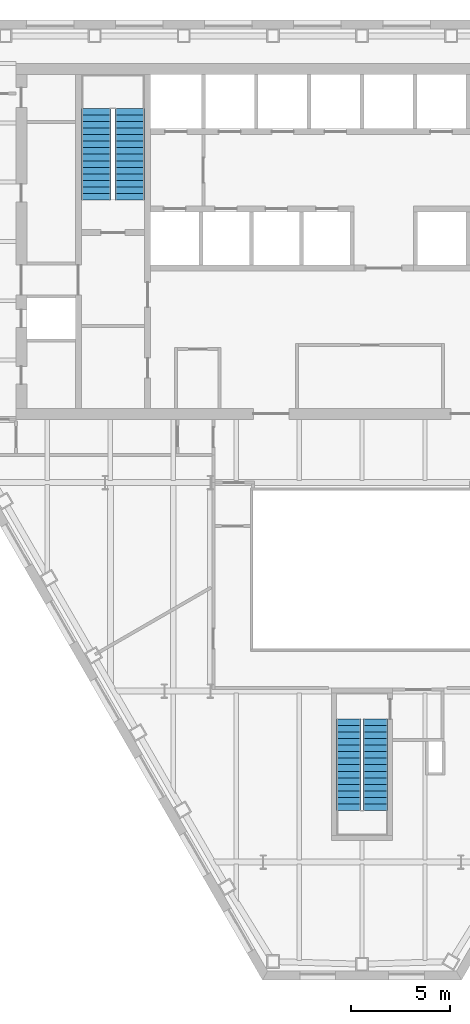
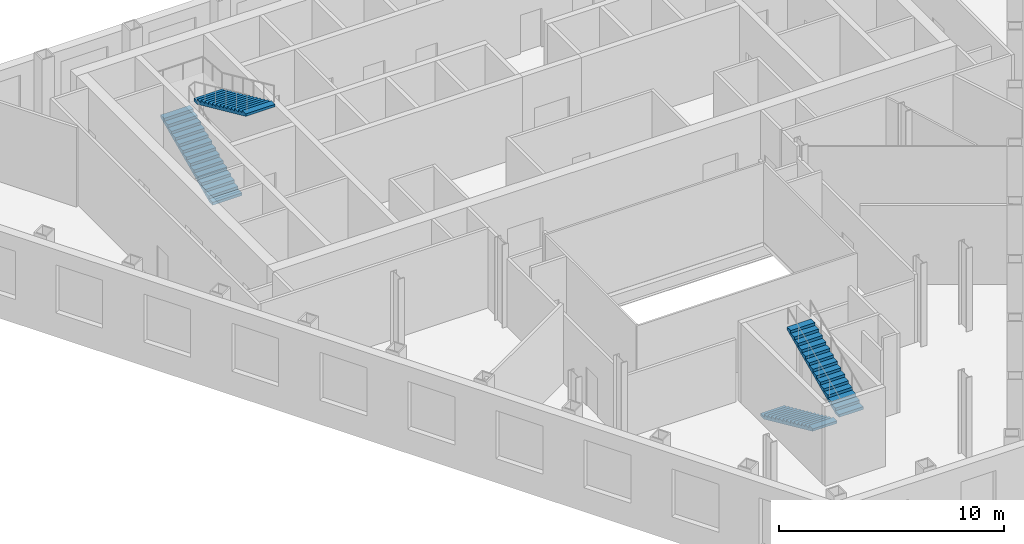
# One storey, part 9 of 11: 4 stair flights, 2 elements without a shape of their own.
"""IFC4 building model written with IfcOpenShell, lengths in metres."""

from ifc_helpers import new_model, si_unit, direction, frame, origin, place, context, subcontext, project, spatial, polygons, material, type_object, element, aggregate, save


model = new_model("IFC4")

# Units and contexts
model_context = context("Model", 3, precision=1e-05, world=origin(), true_north=direction((0.0, 1.0)))
body_context = subcontext(model_context, "Body", "Model", "MODEL_VIEW")
ifc_project = project(units=[si_unit("LENGTHUNIT", "METRE"), si_unit("AREAUNIT", "SQUARE_METRE"), si_unit("VOLUMEUNIT", "CUBIC_METRE"), si_unit("PLANEANGLEUNIT", "RADIAN"), si_unit("MASSUNIT", "GRAM", prefix="KILO")], contexts=[model_context])

# Site, building, storey
site_placement = place(None, origin())
site = spatial("IfcSite", under=ifc_project, at=site_placement, CompositionType="ELEMENT")
building_placement = place(site_placement, origin())
building = spatial("IfcBuilding", under=site, at=building_placement, Name="Njiva Tower", CompositionType="ELEMENT")
storey_placement = place(building_placement, frame((0.0, 0.0, 106.8)))
storey = spatial("IfcBuildingStorey", under=building, at=storey_placement, Name="L22", CompositionType="ELEMENT", Elevation=106.8)

# Stair, stair flights
ifc_material = material(Name="Concrete C40/50", Category="concrete")
stair_type_1 = type_object("IfcStairType", Name="ST1 Exit stair 1250", PredefinedType="HALF_TURN_STAIR", material=ifc_material)
stair_1_placement = place(storey_placement, origin())
stair_1 = element("IfcStair", 1, at=stair_1_placement, inside=storey, type_object=stair_type_1, Name="Stair C", PredefinedType="HALF_TURN_STAIR")
stair_flight_type_1 = type_object("IfcStairFlightType", Name="FL1 Stair flight 1250", PredefinedType="STRAIGHT", material=ifc_material)
stair_flight_1_placement = place(storey_placement, frame((-0.675, -15.16, 0.0), z_axis=(0.0, 0.0, 1.0), x_axis=(0.0, -1.0, 0.0)))
stair_flight_1 = element("IfcStairFlight", 2, at=stair_flight_1_placement, type_object=stair_flight_type_1, Name="ST-C flight 1", NumberOfRisers=15, NumberOfTreads=14, PredefinedType="STRAIGHT", RiserHeight=0.15, TreadLength=0.33, context=body_context, shape_type="Tessellation", body=[
    polygons([(0.0, 0.625, 0.0), (0.0, 0.3125, 0.0), (0.0, 0.0, 0.0), (0.0, -0.3125, 0.0), (0.0, -0.625, 0.0), (0.0, 0.625, 0.15), (0.0, 0.3125, 0.15), (0.0, 0.0, 0.15), (0.0, -0.3125, 0.15), (0.0, -0.625, 0.15), (0.33, 0.625, 0.15), (0.33, 0.3125, 0.15), (0.33, 0.0, 0.15), (0.33, -0.3125, 0.15), (0.33, -0.625, 0.15), (0.33, 0.625, 0.3), (0.33, 0.3125, 0.3), (0.33, 0.0, 0.3), (0.33, -0.3125, 0.3), (0.33, -0.625, 0.3), (0.66, 0.625, 0.3), (0.66, 0.3125, 0.3), (0.66, 0.0, 0.3), (0.66, -0.3125, 0.3), (0.66, -0.625, 0.3), (0.66, 0.625, 0.45), (0.66, 0.3125, 0.45), (0.66, 0.0, 0.45), (0.66, -0.3125, 0.45), (0.66, -0.625, 0.45), (0.99, 0.625, 0.45), (0.99, 0.3125, 0.45), (0.99, 0.0, 0.45), (0.99, -0.3125, 0.45), (0.99, -0.625, 0.45), (0.99, 0.625, 0.6), (0.99, 0.3125, 0.6), (0.99, 0.0, 0.6), (0.99, -0.3125, 0.6), (0.99, -0.625, 0.6), (1.32, 0.625, 0.6), (1.32, 0.3125, 0.6), (1.32, 0.0, 0.6), (1.32, -0.3125, 0.6), (1.32, -0.625, 0.6), (1.32, 0.625, 0.75), (1.32, 0.3125, 0.75), (1.32, 0.0, 0.75), (1.32, -0.3125, 0.75), (1.32, -0.625, 0.75), (1.65, 0.625, 0.75), (1.65, 0.3125, 0.75), (1.65, 0.0, 0.75), (1.65, -0.3125, 0.75), (1.65, -0.625, 0.75), (1.65, 0.625, 0.9), (1.65, 0.3125, 0.9), (1.65, 0.0, 0.9), (1.65, -0.3125, 0.9), (1.65, -0.625, 0.9), (1.98, 0.625, 0.9), (1.98, 0.3125, 0.9), (1.98, 0.0, 0.9), (1.98, -0.3125, 0.9), (1.98, -0.625, 0.9), (1.98, 0.625, 1.05), (1.98, 0.3125, 1.05), (1.98, 0.0, 1.05), (1.98, -0.3125, 1.05), (1.98, -0.625, 1.05), (2.31, 0.625, 1.05), (2.31, 0.3125, 1.05), (2.31, 0.0, 1.05), (2.31, -0.3125, 1.05), (2.31, -0.625, 1.05), (2.31, 0.625, 1.2), (2.31, 0.3125, 1.2), (2.31, 0.0, 1.2), (2.31, -0.3125, 1.2), (2.31, -0.625, 1.2), (2.64, 0.625, 1.2), (2.64, 0.3125, 1.2), (2.64, 0.0, 1.2), (2.64, -0.3125, 1.2), (2.64, -0.625, 1.2), (2.64, 0.625, 1.35), (2.64, 0.3125, 1.35), (2.64, 0.0, 1.35), (2.64, -0.3125, 1.35), (2.64, -0.625, 1.35), (2.97, 0.625, 1.35), (2.97, 0.3125, 1.35), (2.97, 0.0, 1.35), (2.97, -0.3125, 1.35), (2.97, -0.625, 1.35), (2.97, 0.625, 1.5), (2.97, 0.3125, 1.5), (2.97, 0.0, 1.5), (2.97, -0.3125, 1.5), (2.97, -0.625, 1.5), (3.3, 0.625, 1.5), (3.3, 0.3125, 1.5), (3.3, 0.0, 1.5), (3.3, -0.3125, 1.5), (3.3, -0.625, 1.5), (3.3, 0.625, 1.65), (3.3, 0.3125, 1.65), (3.3, 0.0, 1.65), (3.3, -0.3125, 1.65), (3.3, -0.625, 1.65), (3.63, 0.625, 1.65), (3.63, 0.3125, 1.65), (3.63, 0.0, 1.65), (3.63, -0.3125, 1.65), (3.63, -0.625, 1.65), (3.63, 0.625, 1.8), (3.63, 0.3125, 1.8), (3.63, 0.0, 1.8), (3.63, -0.3125, 1.8), (3.63, -0.625, 1.8), (3.96, 0.625, 1.8), (3.96, 0.3125, 1.8), (3.96, 0.0, 1.8), (3.96, -0.3125, 1.8), (3.96, -0.625, 1.8), (3.96, 0.625, 1.95), (3.96, 0.3125, 1.95), (3.96, 0.0, 1.95), (3.96, -0.3125, 1.95), (3.96, -0.625, 1.95), (4.29, 0.625, 1.95), (4.29, 0.3125, 1.95), (4.29, 0.0, 1.95), (4.29, -0.3125, 1.95), (4.29, -0.625, 1.95), (4.29, 0.625, 2.1), (4.29, 0.3125, 2.1), (4.29, 0.0, 2.1), (4.29, -0.3125, 2.1), (4.29, -0.625, 2.1), (4.62, 0.625, 2.1), (4.62, 0.3125, 2.1), (4.62, 0.0, 2.1), (4.62, -0.3125, 2.1), (4.62, -0.625, 2.1), (4.62, 0.625, 1.9682), (4.62, 0.3125, 1.9682), (4.62, 0.0, 1.9682), (4.62, -0.3125, 1.9682), (4.62, -0.625, 1.9682), (0.29, 0.625, 0.0), (0.29, 0.3125, 0.0), (0.29, 0.0, 0.0), (0.29, -0.3125, 0.0), (0.29, -0.625, 0.0)], [[[1, 6, 11, 16, 21, 26, 31, 36, 41, 46, 51, 56, 61, 66, 71, 76, 81, 86, 91, 96, 101, 106, 111, 116, 121, 126, 131, 136, 141, 146, 151]], [[155, 150, 145, 140, 135, 130, 125, 120, 115, 110, 105, 100, 95, 90, 85, 80, 75, 70, 65, 60, 55, 50, 45, 40, 35, 30, 25, 20, 15, 10, 5]], [[6, 1, 2, 7]], [[7, 2, 3, 8]], [[8, 3, 4, 9]], [[9, 4, 5, 10]], [[11, 6, 7, 12]], [[12, 7, 8, 13]], [[13, 8, 9, 14]], [[14, 9, 10, 15]], [[16, 11, 12, 17]], [[17, 12, 13, 18]], [[18, 13, 14, 19]], [[19, 14, 15, 20]], [[21, 16, 17, 22]], [[22, 17, 18, 23]], [[23, 18, 19, 24]], [[24, 19, 20, 25]], [[26, 21, 22, 27]], [[27, 22, 23, 28]], [[28, 23, 24, 29]], [[29, 24, 25, 30]], [[31, 26, 27, 32]], [[32, 27, 28, 33]], [[33, 28, 29, 34]], [[34, 29, 30, 35]], [[36, 31, 32, 37]], [[37, 32, 33, 38]], [[38, 33, 34, 39]], [[39, 34, 35, 40]], [[41, 36, 37, 42]], [[42, 37, 38, 43]], [[43, 38, 39, 44]], [[44, 39, 40, 45]], [[46, 41, 42, 47]], [[47, 42, 43, 48]], [[48, 43, 44, 49]], [[49, 44, 45, 50]], [[51, 46, 47, 52]], [[52, 47, 48, 53]], [[53, 48, 49, 54]], [[54, 49, 50, 55]], [[56, 51, 52, 57]], [[57, 52, 53, 58]], [[58, 53, 54, 59]], [[59, 54, 55, 60]], [[61, 56, 57, 62]], [[62, 57, 58, 63]], [[63, 58, 59, 64]], [[64, 59, 60, 65]], [[66, 61, 62, 67]], [[67, 62, 63, 68]], [[68, 63, 64, 69]], [[69, 64, 65, 70]], [[71, 66, 67, 72]], [[72, 67, 68, 73]], [[73, 68, 69, 74]], [[74, 69, 70, 75]], [[76, 71, 72, 77]], [[77, 72, 73, 78]], [[78, 73, 74, 79]], [[79, 74, 75, 80]], [[81, 76, 77, 82]], [[82, 77, 78, 83]], [[83, 78, 79, 84]], [[84, 79, 80, 85]], [[86, 81, 82, 87]], [[87, 82, 83, 88]], [[88, 83, 84, 89]], [[89, 84, 85, 90]], [[91, 86, 87, 92]], [[92, 87, 88, 93]], [[93, 88, 89, 94]], [[94, 89, 90, 95]], [[96, 91, 92, 97]], [[97, 92, 93, 98]], [[98, 93, 94, 99]], [[99, 94, 95, 100]], [[101, 96, 97, 102]], [[102, 97, 98, 103]], [[103, 98, 99, 104]], [[104, 99, 100, 105]], [[106, 101, 102, 107]], [[107, 102, 103, 108]], [[108, 103, 104, 109]], [[109, 104, 105, 110]], [[111, 106, 107, 112]], [[112, 107, 108, 113]], [[113, 108, 109, 114]], [[114, 109, 110, 115]], [[116, 111, 112, 117]], [[117, 112, 113, 118]], [[118, 113, 114, 119]], [[119, 114, 115, 120]], [[121, 116, 117, 122]], [[122, 117, 118, 123]], [[123, 118, 119, 124]], [[124, 119, 120, 125]], [[126, 121, 122, 127]], [[127, 122, 123, 128]], [[128, 123, 124, 129]], [[129, 124, 125, 130]], [[131, 126, 127, 132]], [[132, 127, 128, 133]], [[133, 128, 129, 134]], [[134, 129, 130, 135]], [[136, 131, 132, 137]], [[137, 132, 133, 138]], [[138, 133, 134, 139]], [[139, 134, 135, 140]], [[141, 136, 137, 142]], [[142, 137, 138, 143]], [[143, 138, 139, 144]], [[144, 139, 140, 145]], [[146, 141, 142, 147]], [[147, 142, 143, 148]], [[148, 143, 144, 149]], [[149, 144, 145, 150]], [[151, 146, 147, 152]], [[152, 147, 148, 153]], [[153, 148, 149, 154]], [[154, 149, 150, 155]], [[1, 151, 152, 2]], [[2, 152, 153, 3]], [[3, 153, 154, 4]], [[4, 154, 155, 5]]], closed=True),
])
stair_flight_2_placement = place(storey_placement, frame((0.675, -19.78, 2.25), z_axis=(0.0, 0.0, 1.0), x_axis=(0.0, 1.0, 0.0)))
stair_flight_2 = element("IfcStairFlight", 3, at=stair_flight_2_placement, type_object=stair_flight_type_1, Name="ST-C flight 2", NumberOfRisers=15, NumberOfTreads=14, PredefinedType="STRAIGHT", RiserHeight=0.15, TreadLength=0.33, context=body_context, shape_type="Tessellation", body=[
    polygons([(0.0, 0.625, 0.0), (0.0, 0.3125, 0.0), (0.0, 0.0, 0.0), (0.0, -0.3125, 0.0), (0.0, -0.625, 0.0), (0.0, 0.625, 0.15), (0.0, 0.3125, 0.15), (0.0, 0.0, 0.15), (0.0, -0.3125, 0.15), (0.0, -0.625, 0.15), (0.33, 0.625, 0.15), (0.33, 0.3125, 0.15), (0.33, 0.0, 0.15), (0.33, -0.3125, 0.15), (0.33, -0.625, 0.15), (0.33, 0.625, 0.3), (0.33, 0.3125, 0.3), (0.33, 0.0, 0.3), (0.33, -0.3125, 0.3), (0.33, -0.625, 0.3), (0.66, 0.625, 0.3), (0.66, 0.3125, 0.3), (0.66, 0.0, 0.3), (0.66, -0.3125, 0.3), (0.66, -0.625, 0.3), (0.66, 0.625, 0.45), (0.66, 0.3125, 0.45), (0.66, 0.0, 0.45), (0.66, -0.3125, 0.45), (0.66, -0.625, 0.45), (0.99, 0.625, 0.45), (0.99, 0.3125, 0.45), (0.99, 0.0, 0.45), (0.99, -0.3125, 0.45), (0.99, -0.625, 0.45), (0.99, 0.625, 0.6), (0.99, 0.3125, 0.6), (0.99, 0.0, 0.6), (0.99, -0.3125, 0.6), (0.99, -0.625, 0.6), (1.32, 0.625, 0.6), (1.32, 0.3125, 0.6), (1.32, 0.0, 0.6), (1.32, -0.3125, 0.6), (1.32, -0.625, 0.6), (1.32, 0.625, 0.75), (1.32, 0.3125, 0.75), (1.32, 0.0, 0.75), (1.32, -0.3125, 0.75), (1.32, -0.625, 0.75), (1.65, 0.625, 0.75), (1.65, 0.3125, 0.75), (1.65, 0.0, 0.75), (1.65, -0.3125, 0.75), (1.65, -0.625, 0.75), (1.65, 0.625, 0.9), (1.65, 0.3125, 0.9), (1.65, 0.0, 0.9), (1.65, -0.3125, 0.9), (1.65, -0.625, 0.9), (1.98, 0.625, 0.9), (1.98, 0.3125, 0.9), (1.98, 0.0, 0.9), (1.98, -0.3125, 0.9), (1.98, -0.625, 0.9), (1.98, 0.625, 1.05), (1.98, 0.3125, 1.05), (1.98, 0.0, 1.05), (1.98, -0.3125, 1.05), (1.98, -0.625, 1.05), (2.31, 0.625, 1.05), (2.31, 0.3125, 1.05), (2.31, 0.0, 1.05), (2.31, -0.3125, 1.05), (2.31, -0.625, 1.05), (2.31, 0.625, 1.2), (2.31, 0.3125, 1.2), (2.31, 0.0, 1.2), (2.31, -0.3125, 1.2), (2.31, -0.625, 1.2), (2.64, 0.625, 1.2), (2.64, 0.3125, 1.2), (2.64, 0.0, 1.2), (2.64, -0.3125, 1.2), (2.64, -0.625, 1.2), (2.64, 0.625, 1.35), (2.64, 0.3125, 1.35), (2.64, 0.0, 1.35), (2.64, -0.3125, 1.35), (2.64, -0.625, 1.35), (2.97, 0.625, 1.35), (2.97, 0.3125, 1.35), (2.97, 0.0, 1.35), (2.97, -0.3125, 1.35), (2.97, -0.625, 1.35), (2.97, 0.625, 1.5), (2.97, 0.3125, 1.5), (2.97, 0.0, 1.5), (2.97, -0.3125, 1.5), (2.97, -0.625, 1.5), (3.3, 0.625, 1.5), (3.3, 0.3125, 1.5), (3.3, 0.0, 1.5), (3.3, -0.3125, 1.5), (3.3, -0.625, 1.5), (3.3, 0.625, 1.65), (3.3, 0.3125, 1.65), (3.3, 0.0, 1.65), (3.3, -0.3125, 1.65), (3.3, -0.625, 1.65), (3.63, 0.625, 1.65), (3.63, 0.3125, 1.65), (3.63, 0.0, 1.65), (3.63, -0.3125, 1.65), (3.63, -0.625, 1.65), (3.63, 0.625, 1.8), (3.63, 0.3125, 1.8), (3.63, 0.0, 1.8), (3.63, -0.3125, 1.8), (3.63, -0.625, 1.8), (3.96, 0.625, 1.8), (3.96, 0.3125, 1.8), (3.96, 0.0, 1.8), (3.96, -0.3125, 1.8), (3.96, -0.625, 1.8), (3.96, 0.625, 1.95), (3.96, 0.3125, 1.95), (3.96, 0.0, 1.95), (3.96, -0.3125, 1.95), (3.96, -0.625, 1.95), (4.29, 0.625, 1.95), (4.29, 0.3125, 1.95), (4.29, 0.0, 1.95), (4.29, -0.3125, 1.95), (4.29, -0.625, 1.95), (4.29, 0.625, 2.1), (4.29, 0.3125, 2.1), (4.29, 0.0, 2.1), (4.29, -0.3125, 2.1), (4.29, -0.625, 2.1), (4.62, 0.625, 2.1), (4.62, 0.3125, 2.1), (4.62, 0.0, 2.1), (4.62, -0.3125, 2.1), (4.62, -0.625, 2.1), (4.62, 0.625, 1.9682), (4.62, 0.3125, 1.9682), (4.62, 0.0, 1.9682), (4.62, -0.3125, 1.9682), (4.62, -0.625, 1.9682), (0.29, 0.625, 0.0), (0.29, 0.3125, 0.0), (0.29, 0.0, 0.0), (0.29, -0.3125, 0.0), (0.29, -0.625, 0.0)], [[[1, 6, 11, 16, 21, 26, 31, 36, 41, 46, 51, 56, 61, 66, 71, 76, 81, 86, 91, 96, 101, 106, 111, 116, 121, 126, 131, 136, 141, 146, 151]], [[155, 150, 145, 140, 135, 130, 125, 120, 115, 110, 105, 100, 95, 90, 85, 80, 75, 70, 65, 60, 55, 50, 45, 40, 35, 30, 25, 20, 15, 10, 5]], [[6, 1, 2, 7]], [[7, 2, 3, 8]], [[8, 3, 4, 9]], [[9, 4, 5, 10]], [[11, 6, 7, 12]], [[12, 7, 8, 13]], [[13, 8, 9, 14]], [[14, 9, 10, 15]], [[16, 11, 12, 17]], [[17, 12, 13, 18]], [[18, 13, 14, 19]], [[19, 14, 15, 20]], [[21, 16, 17, 22]], [[22, 17, 18, 23]], [[23, 18, 19, 24]], [[24, 19, 20, 25]], [[26, 21, 22, 27]], [[27, 22, 23, 28]], [[28, 23, 24, 29]], [[29, 24, 25, 30]], [[31, 26, 27, 32]], [[32, 27, 28, 33]], [[33, 28, 29, 34]], [[34, 29, 30, 35]], [[36, 31, 32, 37]], [[37, 32, 33, 38]], [[38, 33, 34, 39]], [[39, 34, 35, 40]], [[41, 36, 37, 42]], [[42, 37, 38, 43]], [[43, 38, 39, 44]], [[44, 39, 40, 45]], [[46, 41, 42, 47]], [[47, 42, 43, 48]], [[48, 43, 44, 49]], [[49, 44, 45, 50]], [[51, 46, 47, 52]], [[52, 47, 48, 53]], [[53, 48, 49, 54]], [[54, 49, 50, 55]], [[56, 51, 52, 57]], [[57, 52, 53, 58]], [[58, 53, 54, 59]], [[59, 54, 55, 60]], [[61, 56, 57, 62]], [[62, 57, 58, 63]], [[63, 58, 59, 64]], [[64, 59, 60, 65]], [[66, 61, 62, 67]], [[67, 62, 63, 68]], [[68, 63, 64, 69]], [[69, 64, 65, 70]], [[71, 66, 67, 72]], [[72, 67, 68, 73]], [[73, 68, 69, 74]], [[74, 69, 70, 75]], [[76, 71, 72, 77]], [[77, 72, 73, 78]], [[78, 73, 74, 79]], [[79, 74, 75, 80]], [[81, 76, 77, 82]], [[82, 77, 78, 83]], [[83, 78, 79, 84]], [[84, 79, 80, 85]], [[86, 81, 82, 87]], [[87, 82, 83, 88]], [[88, 83, 84, 89]], [[89, 84, 85, 90]], [[91, 86, 87, 92]], [[92, 87, 88, 93]], [[93, 88, 89, 94]], [[94, 89, 90, 95]], [[96, 91, 92, 97]], [[97, 92, 93, 98]], [[98, 93, 94, 99]], [[99, 94, 95, 100]], [[101, 96, 97, 102]], [[102, 97, 98, 103]], [[103, 98, 99, 104]], [[104, 99, 100, 105]], [[106, 101, 102, 107]], [[107, 102, 103, 108]], [[108, 103, 104, 109]], [[109, 104, 105, 110]], [[111, 106, 107, 112]], [[112, 107, 108, 113]], [[113, 108, 109, 114]], [[114, 109, 110, 115]], [[116, 111, 112, 117]], [[117, 112, 113, 118]], [[118, 113, 114, 119]], [[119, 114, 115, 120]], [[121, 116, 117, 122]], [[122, 117, 118, 123]], [[123, 118, 119, 124]], [[124, 119, 120, 125]], [[126, 121, 122, 127]], [[127, 122, 123, 128]], [[128, 123, 124, 129]], [[129, 124, 125, 130]], [[131, 126, 127, 132]], [[132, 127, 128, 133]], [[133, 128, 129, 134]], [[134, 129, 130, 135]], [[136, 131, 132, 137]], [[137, 132, 133, 138]], [[138, 133, 134, 139]], [[139, 134, 135, 140]], [[141, 136, 137, 142]], [[142, 137, 138, 143]], [[143, 138, 139, 144]], [[144, 139, 140, 145]], [[146, 141, 142, 147]], [[147, 142, 143, 148]], [[148, 143, 144, 149]], [[149, 144, 145, 150]], [[151, 146, 147, 152]], [[152, 147, 148, 153]], [[153, 148, 149, 154]], [[154, 149, 150, 155]], [[1, 151, 152, 2]], [[2, 152, 153, 3]], [[3, 153, 154, 4]], [[4, 154, 155, 5]]], closed=True),
])
aggregate(stair_1, [stair_flight_1, stair_flight_2])

stair_type_2 = type_object("IfcStairType", Name="ST4 Exit stair 1500", PredefinedType="HALF_TURN_STAIR", material=ifc_material)
stair_2_placement = place(storey_placement, origin())
stair_2 = element("IfcStair", 4, at=stair_2_placement, inside=storey, type_object=stair_type_2, Name="Stair A", PredefinedType="HALF_TURN_STAIR")
stair_flight_type_2 = type_object("IfcStairFlightType", Name="FL4 Stair flight 1500", PredefinedType="STRAIGHT", material=ifc_material)
stair_flight_3_placement = place(storey_placement, frame((-13.45, 11.1, 0.0), z_axis=(0.0, 0.0, 1.0), x_axis=(0.0, 1.0, 0.0)))
stair_flight_3 = element("IfcStairFlight", 5, at=stair_flight_3_placement, type_object=stair_flight_type_2, Name="ST-A flight 1", NumberOfRisers=15, NumberOfTreads=14, PredefinedType="STRAIGHT", RiserHeight=0.15, TreadLength=0.33, context=body_context, shape_type="Tessellation", body=[
    polygons([(0.0, 0.75, 0.0), (0.0, 0.375, 0.0), (0.0, 0.0, 0.0), (0.0, -0.375, 0.0), (0.0, -0.75, 0.0), (0.0, 0.75, 0.15), (0.0, 0.375, 0.15), (0.0, 0.0, 0.15), (0.0, -0.375, 0.15), (0.0, -0.75, 0.15), (0.33, 0.75, 0.15), (0.33, 0.375, 0.15), (0.33, 0.0, 0.15), (0.33, -0.375, 0.15), (0.33, -0.75, 0.15), (0.33, 0.75, 0.3), (0.33, 0.375, 0.3), (0.33, 0.0, 0.3), (0.33, -0.375, 0.3), (0.33, -0.75, 0.3), (0.66, 0.75, 0.3), (0.66, 0.375, 0.3), (0.66, 0.0, 0.3), (0.66, -0.375, 0.3), (0.66, -0.75, 0.3), (0.66, 0.75, 0.45), (0.66, 0.375, 0.45), (0.66, 0.0, 0.45), (0.66, -0.375, 0.45), (0.66, -0.75, 0.45), (0.99, 0.75, 0.45), (0.99, 0.375, 0.45), (0.99, 0.0, 0.45), (0.99, -0.375, 0.45), (0.99, -0.75, 0.45), (0.99, 0.75, 0.6), (0.99, 0.375, 0.6), (0.99, 0.0, 0.6), (0.99, -0.375, 0.6), (0.99, -0.75, 0.6), (1.32, 0.75, 0.6), (1.32, 0.375, 0.6), (1.32, 0.0, 0.6), (1.32, -0.375, 0.6), (1.32, -0.75, 0.6), (1.32, 0.75, 0.75), (1.32, 0.375, 0.75), (1.32, 0.0, 0.75), (1.32, -0.375, 0.75), (1.32, -0.75, 0.75), (1.65, 0.75, 0.75), (1.65, 0.375, 0.75), (1.65, 0.0, 0.75), (1.65, -0.375, 0.75), (1.65, -0.75, 0.75), (1.65, 0.75, 0.9), (1.65, 0.375, 0.9), (1.65, 0.0, 0.9), (1.65, -0.375, 0.9), (1.65, -0.75, 0.9), (1.98, 0.75, 0.9), (1.98, 0.375, 0.9), (1.98, 0.0, 0.9), (1.98, -0.375, 0.9), (1.98, -0.75, 0.9), (1.98, 0.75, 1.05), (1.98, 0.375, 1.05), (1.98, 0.0, 1.05), (1.98, -0.375, 1.05), (1.98, -0.75, 1.05), (2.31, 0.75, 1.05), (2.31, 0.375, 1.05), (2.31, 0.0, 1.05), (2.31, -0.375, 1.05), (2.31, -0.75, 1.05), (2.31, 0.75, 1.2), (2.31, 0.375, 1.2), (2.31, 0.0, 1.2), (2.31, -0.375, 1.2), (2.31, -0.75, 1.2), (2.64, 0.75, 1.2), (2.64, 0.375, 1.2), (2.64, 0.0, 1.2), (2.64, -0.375, 1.2), (2.64, -0.75, 1.2), (2.64, 0.75, 1.35), (2.64, 0.375, 1.35), (2.64, 0.0, 1.35), (2.64, -0.375, 1.35), (2.64, -0.75, 1.35), (2.97, 0.75, 1.35), (2.97, 0.375, 1.35), (2.97, 0.0, 1.35), (2.97, -0.375, 1.35), (2.97, -0.75, 1.35), (2.97, 0.75, 1.5), (2.97, 0.375, 1.5), (2.97, 0.0, 1.5), (2.97, -0.375, 1.5), (2.97, -0.75, 1.5), (3.3, 0.75, 1.5), (3.3, 0.375, 1.5), (3.3, 0.0, 1.5), (3.3, -0.375, 1.5), (3.3, -0.75, 1.5), (3.3, 0.75, 1.65), (3.3, 0.375, 1.65), (3.3, 0.0, 1.65), (3.3, -0.375, 1.65), (3.3, -0.75, 1.65), (3.63, 0.75, 1.65), (3.63, 0.375, 1.65), (3.63, 0.0, 1.65), (3.63, -0.375, 1.65), (3.63, -0.75, 1.65), (3.63, 0.75, 1.8), (3.63, 0.375, 1.8), (3.63, 0.0, 1.8), (3.63, -0.375, 1.8), (3.63, -0.75, 1.8), (3.96, 0.75, 1.8), (3.96, 0.375, 1.8), (3.96, 0.0, 1.8), (3.96, -0.375, 1.8), (3.96, -0.75, 1.8), (3.96, 0.75, 1.95), (3.96, 0.375, 1.95), (3.96, 0.0, 1.95), (3.96, -0.375, 1.95), (3.96, -0.75, 1.95), (4.29, 0.75, 1.95), (4.29, 0.375, 1.95), (4.29, 0.0, 1.95), (4.29, -0.375, 1.95), (4.29, -0.75, 1.95), (4.29, 0.75, 2.1), (4.29, 0.375, 2.1), (4.29, 0.0, 2.1), (4.29, -0.375, 2.1), (4.29, -0.75, 2.1), (4.62, 0.75, 2.1), (4.62, 0.375, 2.1), (4.62, 0.0, 2.1), (4.62, -0.375, 2.1), (4.62, -0.75, 2.1), (4.62, 0.75, 1.9682), (4.62, 0.375, 1.9682), (4.62, 0.0, 1.9682), (4.62, -0.375, 1.9682), (4.62, -0.75, 1.9682), (0.29, 0.75, 0.0), (0.29, 0.375, 0.0), (0.29, 0.0, 0.0), (0.29, -0.375, 0.0), (0.29, -0.75, 0.0)], [[[1, 6, 11, 16, 21, 26, 31, 36, 41, 46, 51, 56, 61, 66, 71, 76, 81, 86, 91, 96, 101, 106, 111, 116, 121, 126, 131, 136, 141, 146, 151]], [[155, 150, 145, 140, 135, 130, 125, 120, 115, 110, 105, 100, 95, 90, 85, 80, 75, 70, 65, 60, 55, 50, 45, 40, 35, 30, 25, 20, 15, 10, 5]], [[6, 1, 2, 7]], [[7, 2, 3, 8]], [[8, 3, 4, 9]], [[9, 4, 5, 10]], [[11, 6, 7, 12]], [[12, 7, 8, 13]], [[13, 8, 9, 14]], [[14, 9, 10, 15]], [[16, 11, 12, 17]], [[17, 12, 13, 18]], [[18, 13, 14, 19]], [[19, 14, 15, 20]], [[21, 16, 17, 22]], [[22, 17, 18, 23]], [[23, 18, 19, 24]], [[24, 19, 20, 25]], [[26, 21, 22, 27]], [[27, 22, 23, 28]], [[28, 23, 24, 29]], [[29, 24, 25, 30]], [[31, 26, 27, 32]], [[32, 27, 28, 33]], [[33, 28, 29, 34]], [[34, 29, 30, 35]], [[36, 31, 32, 37]], [[37, 32, 33, 38]], [[38, 33, 34, 39]], [[39, 34, 35, 40]], [[41, 36, 37, 42]], [[42, 37, 38, 43]], [[43, 38, 39, 44]], [[44, 39, 40, 45]], [[46, 41, 42, 47]], [[47, 42, 43, 48]], [[48, 43, 44, 49]], [[49, 44, 45, 50]], [[51, 46, 47, 52]], [[52, 47, 48, 53]], [[53, 48, 49, 54]], [[54, 49, 50, 55]], [[56, 51, 52, 57]], [[57, 52, 53, 58]], [[58, 53, 54, 59]], [[59, 54, 55, 60]], [[61, 56, 57, 62]], [[62, 57, 58, 63]], [[63, 58, 59, 64]], [[64, 59, 60, 65]], [[66, 61, 62, 67]], [[67, 62, 63, 68]], [[68, 63, 64, 69]], [[69, 64, 65, 70]], [[71, 66, 67, 72]], [[72, 67, 68, 73]], [[73, 68, 69, 74]], [[74, 69, 70, 75]], [[76, 71, 72, 77]], [[77, 72, 73, 78]], [[78, 73, 74, 79]], [[79, 74, 75, 80]], [[81, 76, 77, 82]], [[82, 77, 78, 83]], [[83, 78, 79, 84]], [[84, 79, 80, 85]], [[86, 81, 82, 87]], [[87, 82, 83, 88]], [[88, 83, 84, 89]], [[89, 84, 85, 90]], [[91, 86, 87, 92]], [[92, 87, 88, 93]], [[93, 88, 89, 94]], [[94, 89, 90, 95]], [[96, 91, 92, 97]], [[97, 92, 93, 98]], [[98, 93, 94, 99]], [[99, 94, 95, 100]], [[101, 96, 97, 102]], [[102, 97, 98, 103]], [[103, 98, 99, 104]], [[104, 99, 100, 105]], [[106, 101, 102, 107]], [[107, 102, 103, 108]], [[108, 103, 104, 109]], [[109, 104, 105, 110]], [[111, 106, 107, 112]], [[112, 107, 108, 113]], [[113, 108, 109, 114]], [[114, 109, 110, 115]], [[116, 111, 112, 117]], [[117, 112, 113, 118]], [[118, 113, 114, 119]], [[119, 114, 115, 120]], [[121, 116, 117, 122]], [[122, 117, 118, 123]], [[123, 118, 119, 124]], [[124, 119, 120, 125]], [[126, 121, 122, 127]], [[127, 122, 123, 128]], [[128, 123, 124, 129]], [[129, 124, 125, 130]], [[131, 126, 127, 132]], [[132, 127, 128, 133]], [[133, 128, 129, 134]], [[134, 129, 130, 135]], [[136, 131, 132, 137]], [[137, 132, 133, 138]], [[138, 133, 134, 139]], [[139, 134, 135, 140]], [[141, 136, 137, 142]], [[142, 137, 138, 143]], [[143, 138, 139, 144]], [[144, 139, 140, 145]], [[146, 141, 142, 147]], [[147, 142, 143, 148]], [[148, 143, 144, 149]], [[149, 144, 145, 150]], [[151, 146, 147, 152]], [[152, 147, 148, 153]], [[153, 148, 149, 154]], [[154, 149, 150, 155]], [[1, 151, 152, 2]], [[2, 152, 153, 3]], [[3, 153, 154, 4]], [[4, 154, 155, 5]]], closed=True),
])
stair_flight_4_placement = place(storey_placement, frame((-11.75, 15.72, 2.25), z_axis=(0.0, 0.0, 1.0), x_axis=(0.0, -1.0, 0.0)))
stair_flight_4 = element("IfcStairFlight", 6, at=stair_flight_4_placement, type_object=stair_flight_type_2, Name="ST-A flight 2", NumberOfRisers=15, NumberOfTreads=14, PredefinedType="STRAIGHT", RiserHeight=0.15, TreadLength=0.33, context=body_context, shape_type="Tessellation", body=[
    polygons([(0.0, 0.75, 0.0), (0.0, 0.375, 0.0), (0.0, 0.0, 0.0), (0.0, -0.375, 0.0), (0.0, -0.75, 0.0), (0.0, 0.75, 0.15), (0.0, 0.375, 0.15), (0.0, 0.0, 0.15), (0.0, -0.375, 0.15), (0.0, -0.75, 0.15), (0.33, 0.75, 0.15), (0.33, 0.375, 0.15), (0.33, 0.0, 0.15), (0.33, -0.375, 0.15), (0.33, -0.75, 0.15), (0.33, 0.75, 0.3), (0.33, 0.375, 0.3), (0.33, 0.0, 0.3), (0.33, -0.375, 0.3), (0.33, -0.75, 0.3), (0.66, 0.75, 0.3), (0.66, 0.375, 0.3), (0.66, 0.0, 0.3), (0.66, -0.375, 0.3), (0.66, -0.75, 0.3), (0.66, 0.75, 0.45), (0.66, 0.375, 0.45), (0.66, 0.0, 0.45), (0.66, -0.375, 0.45), (0.66, -0.75, 0.45), (0.99, 0.75, 0.45), (0.99, 0.375, 0.45), (0.99, 0.0, 0.45), (0.99, -0.375, 0.45), (0.99, -0.75, 0.45), (0.99, 0.75, 0.6), (0.99, 0.375, 0.6), (0.99, 0.0, 0.6), (0.99, -0.375, 0.6), (0.99, -0.75, 0.6), (1.32, 0.75, 0.6), (1.32, 0.375, 0.6), (1.32, 0.0, 0.6), (1.32, -0.375, 0.6), (1.32, -0.75, 0.6), (1.32, 0.75, 0.75), (1.32, 0.375, 0.75), (1.32, 0.0, 0.75), (1.32, -0.375, 0.75), (1.32, -0.75, 0.75), (1.65, 0.75, 0.75), (1.65, 0.375, 0.75), (1.65, 0.0, 0.75), (1.65, -0.375, 0.75), (1.65, -0.75, 0.75), (1.65, 0.75, 0.9), (1.65, 0.375, 0.9), (1.65, 0.0, 0.9), (1.65, -0.375, 0.9), (1.65, -0.75, 0.9), (1.98, 0.75, 0.9), (1.98, 0.375, 0.9), (1.98, 0.0, 0.9), (1.98, -0.375, 0.9), (1.98, -0.75, 0.9), (1.98, 0.75, 1.05), (1.98, 0.375, 1.05), (1.98, 0.0, 1.05), (1.98, -0.375, 1.05), (1.98, -0.75, 1.05), (2.31, 0.75, 1.05), (2.31, 0.375, 1.05), (2.31, 0.0, 1.05), (2.31, -0.375, 1.05), (2.31, -0.75, 1.05), (2.31, 0.75, 1.2), (2.31, 0.375, 1.2), (2.31, 0.0, 1.2), (2.31, -0.375, 1.2), (2.31, -0.75, 1.2), (2.64, 0.75, 1.2), (2.64, 0.375, 1.2), (2.64, 0.0, 1.2), (2.64, -0.375, 1.2), (2.64, -0.75, 1.2), (2.64, 0.75, 1.35), (2.64, 0.375, 1.35), (2.64, 0.0, 1.35), (2.64, -0.375, 1.35), (2.64, -0.75, 1.35), (2.97, 0.75, 1.35), (2.97, 0.375, 1.35), (2.97, 0.0, 1.35), (2.97, -0.375, 1.35), (2.97, -0.75, 1.35), (2.97, 0.75, 1.5), (2.97, 0.375, 1.5), (2.97, 0.0, 1.5), (2.97, -0.375, 1.5), (2.97, -0.75, 1.5), (3.3, 0.75, 1.5), (3.3, 0.375, 1.5), (3.3, 0.0, 1.5), (3.3, -0.375, 1.5), (3.3, -0.75, 1.5), (3.3, 0.75, 1.65), (3.3, 0.375, 1.65), (3.3, 0.0, 1.65), (3.3, -0.375, 1.65), (3.3, -0.75, 1.65), (3.63, 0.75, 1.65), (3.63, 0.375, 1.65), (3.63, 0.0, 1.65), (3.63, -0.375, 1.65), (3.63, -0.75, 1.65), (3.63, 0.75, 1.8), (3.63, 0.375, 1.8), (3.63, 0.0, 1.8), (3.63, -0.375, 1.8), (3.63, -0.75, 1.8), (3.96, 0.75, 1.8), (3.96, 0.375, 1.8), (3.96, 0.0, 1.8), (3.96, -0.375, 1.8), (3.96, -0.75, 1.8), (3.96, 0.75, 1.95), (3.96, 0.375, 1.95), (3.96, 0.0, 1.95), (3.96, -0.375, 1.95), (3.96, -0.75, 1.95), (4.29, 0.75, 1.95), (4.29, 0.375, 1.95), (4.29, 0.0, 1.95), (4.29, -0.375, 1.95), (4.29, -0.75, 1.95), (4.29, 0.75, 2.1), (4.29, 0.375, 2.1), (4.29, 0.0, 2.1), (4.29, -0.375, 2.1), (4.29, -0.75, 2.1), (4.62, 0.75, 2.1), (4.62, 0.375, 2.1), (4.62, 0.0, 2.1), (4.62, -0.375, 2.1), (4.62, -0.75, 2.1), (4.62, 0.75, 1.9682), (4.62, 0.375, 1.9682), (4.62, 0.0, 1.9682), (4.62, -0.375, 1.9682), (4.62, -0.75, 1.9682), (0.29, 0.75, 0.0), (0.29, 0.375, 0.0), (0.29, 0.0, 0.0), (0.29, -0.375, 0.0), (0.29, -0.75, 0.0)], [[[1, 6, 11, 16, 21, 26, 31, 36, 41, 46, 51, 56, 61, 66, 71, 76, 81, 86, 91, 96, 101, 106, 111, 116, 121, 126, 131, 136, 141, 146, 151]], [[155, 150, 145, 140, 135, 130, 125, 120, 115, 110, 105, 100, 95, 90, 85, 80, 75, 70, 65, 60, 55, 50, 45, 40, 35, 30, 25, 20, 15, 10, 5]], [[6, 1, 2, 7]], [[7, 2, 3, 8]], [[8, 3, 4, 9]], [[9, 4, 5, 10]], [[11, 6, 7, 12]], [[12, 7, 8, 13]], [[13, 8, 9, 14]], [[14, 9, 10, 15]], [[16, 11, 12, 17]], [[17, 12, 13, 18]], [[18, 13, 14, 19]], [[19, 14, 15, 20]], [[21, 16, 17, 22]], [[22, 17, 18, 23]], [[23, 18, 19, 24]], [[24, 19, 20, 25]], [[26, 21, 22, 27]], [[27, 22, 23, 28]], [[28, 23, 24, 29]], [[29, 24, 25, 30]], [[31, 26, 27, 32]], [[32, 27, 28, 33]], [[33, 28, 29, 34]], [[34, 29, 30, 35]], [[36, 31, 32, 37]], [[37, 32, 33, 38]], [[38, 33, 34, 39]], [[39, 34, 35, 40]], [[41, 36, 37, 42]], [[42, 37, 38, 43]], [[43, 38, 39, 44]], [[44, 39, 40, 45]], [[46, 41, 42, 47]], [[47, 42, 43, 48]], [[48, 43, 44, 49]], [[49, 44, 45, 50]], [[51, 46, 47, 52]], [[52, 47, 48, 53]], [[53, 48, 49, 54]], [[54, 49, 50, 55]], [[56, 51, 52, 57]], [[57, 52, 53, 58]], [[58, 53, 54, 59]], [[59, 54, 55, 60]], [[61, 56, 57, 62]], [[62, 57, 58, 63]], [[63, 58, 59, 64]], [[64, 59, 60, 65]], [[66, 61, 62, 67]], [[67, 62, 63, 68]], [[68, 63, 64, 69]], [[69, 64, 65, 70]], [[71, 66, 67, 72]], [[72, 67, 68, 73]], [[73, 68, 69, 74]], [[74, 69, 70, 75]], [[76, 71, 72, 77]], [[77, 72, 73, 78]], [[78, 73, 74, 79]], [[79, 74, 75, 80]], [[81, 76, 77, 82]], [[82, 77, 78, 83]], [[83, 78, 79, 84]], [[84, 79, 80, 85]], [[86, 81, 82, 87]], [[87, 82, 83, 88]], [[88, 83, 84, 89]], [[89, 84, 85, 90]], [[91, 86, 87, 92]], [[92, 87, 88, 93]], [[93, 88, 89, 94]], [[94, 89, 90, 95]], [[96, 91, 92, 97]], [[97, 92, 93, 98]], [[98, 93, 94, 99]], [[99, 94, 95, 100]], [[101, 96, 97, 102]], [[102, 97, 98, 103]], [[103, 98, 99, 104]], [[104, 99, 100, 105]], [[106, 101, 102, 107]], [[107, 102, 103, 108]], [[108, 103, 104, 109]], [[109, 104, 105, 110]], [[111, 106, 107, 112]], [[112, 107, 108, 113]], [[113, 108, 109, 114]], [[114, 109, 110, 115]], [[116, 111, 112, 117]], [[117, 112, 113, 118]], [[118, 113, 114, 119]], [[119, 114, 115, 120]], [[121, 116, 117, 122]], [[122, 117, 118, 123]], [[123, 118, 119, 124]], [[124, 119, 120, 125]], [[126, 121, 122, 127]], [[127, 122, 123, 128]], [[128, 123, 124, 129]], [[129, 124, 125, 130]], [[131, 126, 127, 132]], [[132, 127, 128, 133]], [[133, 128, 129, 134]], [[134, 129, 130, 135]], [[136, 131, 132, 137]], [[137, 132, 133, 138]], [[138, 133, 134, 139]], [[139, 134, 135, 140]], [[141, 136, 137, 142]], [[142, 137, 138, 143]], [[143, 138, 139, 144]], [[144, 139, 140, 145]], [[146, 141, 142, 147]], [[147, 142, 143, 148]], [[148, 143, 144, 149]], [[149, 144, 145, 150]], [[151, 146, 147, 152]], [[152, 147, 148, 153]], [[153, 148, 149, 154]], [[154, 149, 150, 155]], [[1, 151, 152, 2]], [[2, 152, 153, 3]], [[3, 153, 154, 4]], [[4, 154, 155, 5]]], closed=True),
])
aggregate(stair_2, [stair_flight_3, stair_flight_4])

save(model, "model.ifc")
